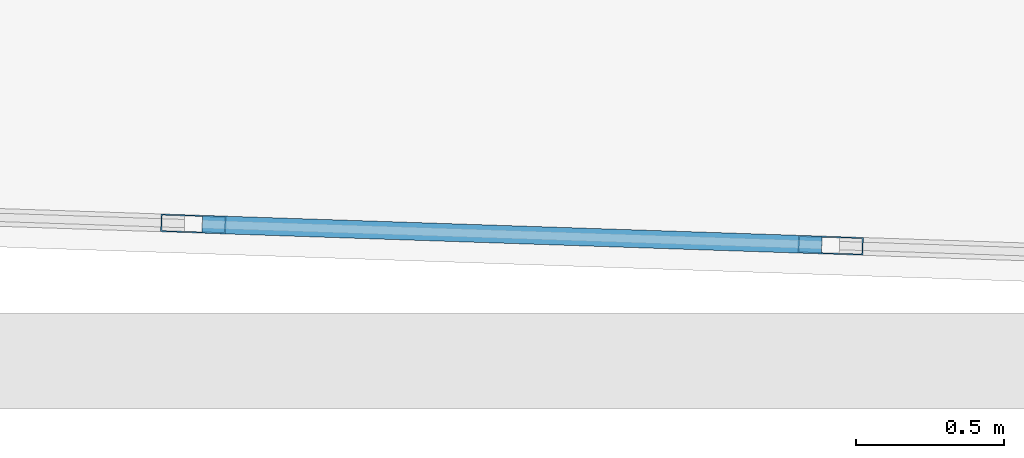
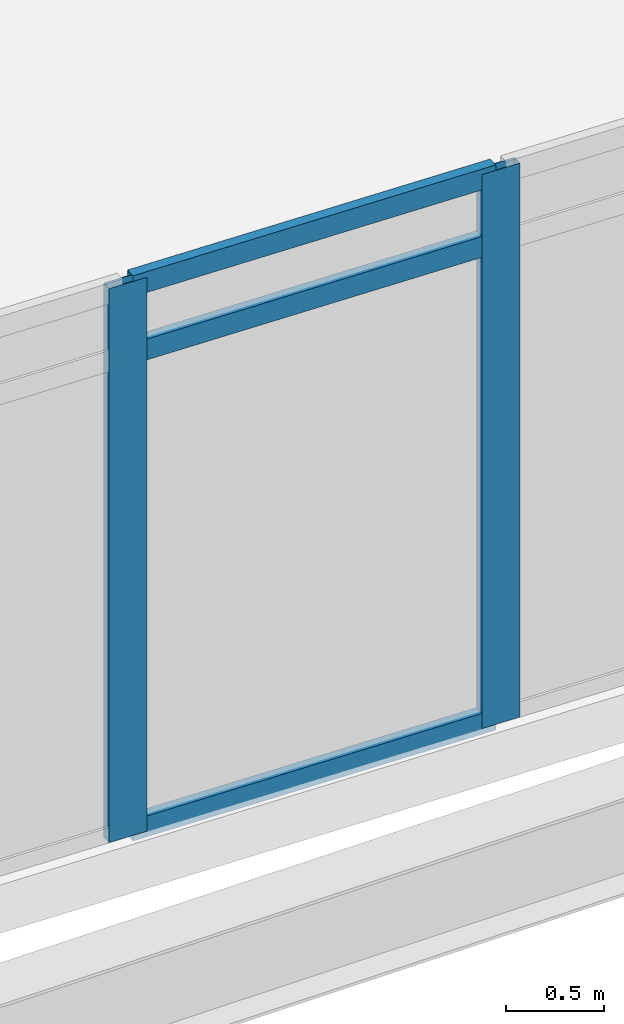
# One storey, part 5 of 37: 5 members, 1 element without a shape of its own.
"""IFC4 building model written with IfcOpenShell, lengths in metres."""

from ifc_helpers import new_model, si_unit, direction, frame, origin, origin_2d, place, context, subcontext, project, spatial, hollow_rectangle, extrude, material, material_profile, profile_set, type_object, element, aggregate, save


model = new_model("IFC4")

# Units and contexts
model_context = context("Model", 3, precision=1e-05, world=origin(), true_north=direction((0.0, 1.0)))
body_context = subcontext(model_context, "Body", "Model", "MODEL_VIEW")
ifc_project = project(units=[si_unit("LENGTHUNIT", "METRE"), si_unit("AREAUNIT", "SQUARE_METRE"), si_unit("VOLUMEUNIT", "CUBIC_METRE"), si_unit("PLANEANGLEUNIT", "RADIAN"), si_unit("MASSUNIT", "GRAM", prefix="KILO")], contexts=[model_context])

# Site, building, storey
site_placement = place(None, origin())
site = spatial("IfcSite", under=ifc_project, at=site_placement, CompositionType="ELEMENT")
building_placement = place(site_placement, origin())
building = spatial("IfcBuilding", under=site, at=building_placement, Name="Ostrander Bayou Hotel Tower", CompositionType="ELEMENT")
storey_placement = place(building_placement, frame((0.0, 0.0, 198.25)))
storey = spatial("IfcBuildingStorey", under=building, at=storey_placement, Name="L49", CompositionType="ELEMENT", Elevation=198.25)

# Curtain wall, members
ifc_material_1 = material(Name="Aluminium and clear glass", Category="aluminium")
curtain_wall_type = type_object("IfcCurtainWallType", Name="CW-BAR glazed wall", PredefinedType="NOTDEFINED", material=ifc_material_1)
curtain_wall_placement = place(storey_placement, origin())
curtain_wall = element("IfcCurtainWall", 1, at=curtain_wall_placement, inside=storey, type_object=curtain_wall_type, Name="CW-BAR L49:SB4S:T", PredefinedType="NOTDEFINED")
ifc_material_2 = material(Name="Aluminium", Category="aluminium")
ifc_material_profile_1 = material_profile(ifc_material_2, hollow_rectangle(XDim=0.06005859375, YDim=0.219970703125, WallThickness=0.00390625, at=origin_2d()))
ifc_profile_set_1 = profile_set([ifc_material_profile_1], Name="Aluminium")
member_type_1 = type_object("IfcMemberType", Name="CW-BR mullion 60 x 220 mm", PredefinedType="MULLION", material=ifc_profile_set_1)
member_1_placement = place(storey_placement, frame((1.077880859375, -29.68603515625, 0.0), z_axis=(0.0, 0.0, 1.0), x_axis=(0.03350511268, 0.999438546097, 0.0)))
member_1 = element("IfcMember", 2, at=member_1_placement, type_object=member_type_1, Name="CW-BAR mullion 7", PredefinedType="MULLION", context=body_context, shape_type="SweptSolid", body=[
    extrude(hollow_rectangle(XDim=0.06005859375, YDim=0.219970703125, WallThickness=0.00390625, at=origin_2d()), origin(), (0.0, 0.0, 1.0), 3.449951171875),
])
member_2_placement = place(storey_placement, frame((3.23388671875, -29.75830078125, 0.0), z_axis=(0.0, 0.0, 1.0), x_axis=(0.03350511268, 0.999438546097, 0.0)))
member_2 = element("IfcMember", 3, at=member_2_placement, type_object=member_type_1, Name="CW-BAR mullion 8", PredefinedType="MULLION", context=body_context, shape_type="SweptSolid", body=[
    extrude(hollow_rectangle(XDim=0.06005859375, YDim=0.219970703125, WallThickness=0.00390625, at=origin_2d()), origin(), (0.0, 0.0, 1.0), 3.449951171875),
])
ifc_material_3 = material(Name="Aluminium", Category="aluminium")
ifc_material_profile_2 = material_profile(ifc_material_3, hollow_rectangle(XDim=0.06005859375, YDim=0.1298828125, WallThickness=0.00390625, at=origin_2d()))
ifc_profile_set_2 = profile_set([ifc_material_profile_2], Name="Aluminium")
member_type_2 = type_object("IfcMemberType", Name="CW-BR transom 60 x 130 mm", PredefinedType="USERDEFINED", material=ifc_profile_set_2)
member_3_placement = place(storey_placement, frame((1.10791015625, -29.687255859375, 0.030029296875), z_axis=(0.999441672059, -0.033411736736, 0.0), x_axis=(0.033411736736, 0.999441672059, 0.0)))
member_3 = element("IfcMember", 4, at=member_3_placement, type_object=member_type_2, Name="CW-BAR transom 7.1", ObjectType="TRANSOM", PredefinedType="USERDEFINED", context=body_context, shape_type="SweptSolid", body=[
    extrude(hollow_rectangle(XDim=0.06005859375, YDim=0.1298828125, WallThickness=0.00390625, at=origin_2d()), origin(), (0.0, 0.0, 1.0), 2.09716796875),
])
member_4_placement = place(storey_placement, frame((1.10791015625, -29.687255859375, 3.0), z_axis=(0.999441672059, -0.033411736736, 0.0), x_axis=(0.033411736736, 0.999441672059, 0.0)))
member_4 = element("IfcMember", 5, at=member_4_placement, type_object=member_type_2, Name="CW-BAR transom 7.2", ObjectType="TRANSOM", PredefinedType="USERDEFINED", context=body_context, shape_type="SweptSolid", body=[
    extrude(hollow_rectangle(XDim=0.06005859375, YDim=0.1298828125, WallThickness=0.00390625, at=origin_2d()), origin(), (0.0, 0.0, 1.0), 2.09716796875),
])
member_5_placement = place(storey_placement, frame((1.10791015625, -29.687255859375, 3.419921875), z_axis=(0.999441672059, -0.033411736736, 0.0), x_axis=(0.033411736736, 0.999441672059, 0.0)))
member_5 = element("IfcMember", 6, at=member_5_placement, type_object=member_type_2, Name="CW-BAR transom 7.3", ObjectType="TRANSOM", PredefinedType="USERDEFINED", context=body_context, shape_type="SweptSolid", body=[
    extrude(hollow_rectangle(XDim=0.06005859375, YDim=0.1298828125, WallThickness=0.00390625, at=origin_2d()), origin(), (0.0, 0.0, 1.0), 2.09716796875),
])
aggregate(curtain_wall, [member_1, member_2, member_3, member_4, member_5])

save(model, "model.ifc")
